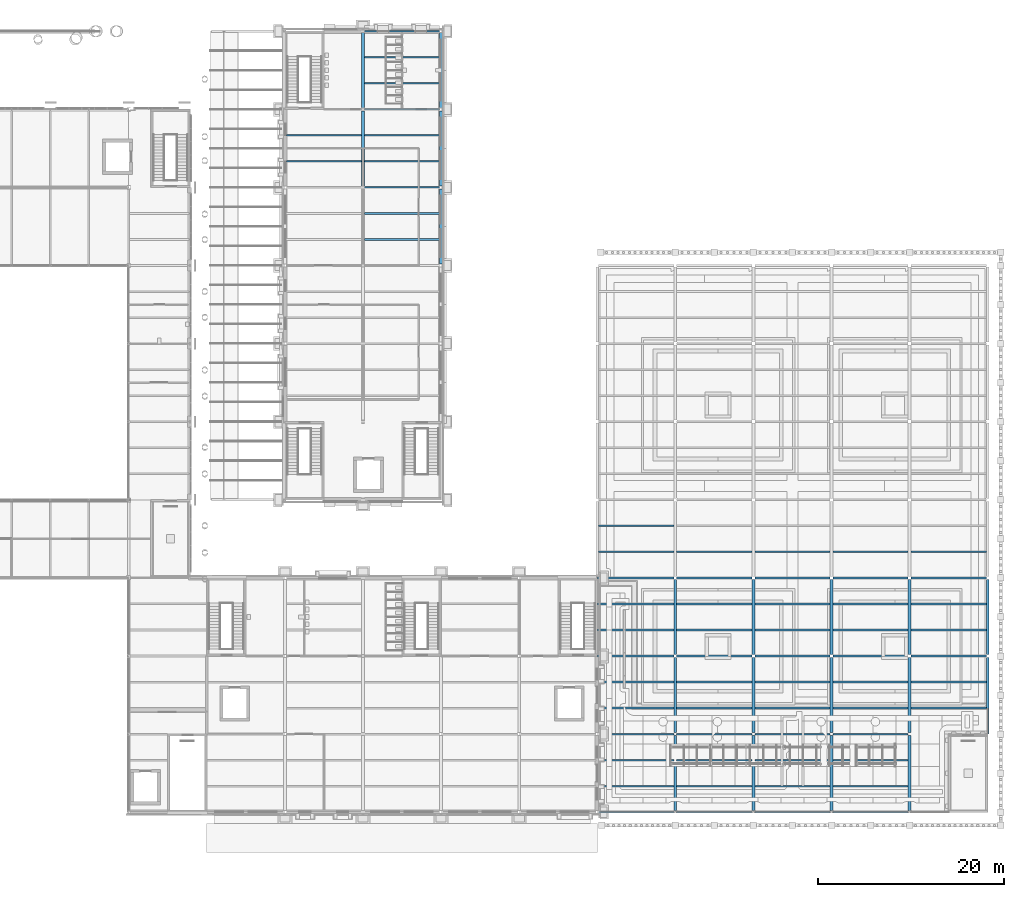
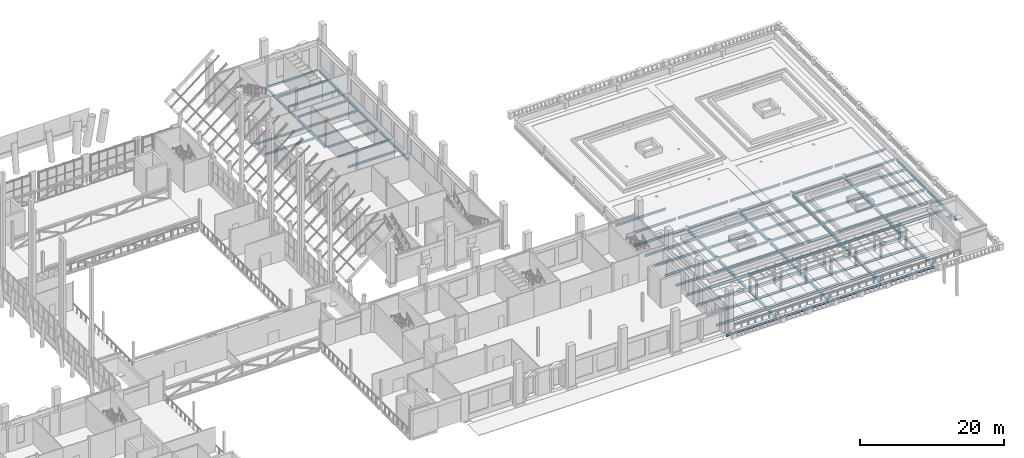
# One storey, part 39 of 76: 82 beams.
"""IFC4 building model written with IfcOpenShell, lengths in metres."""

from ifc_helpers import new_model, si_unit, direction, frame, origin, origin_2d, place, context, subcontext, project, spatial, i_section, extrude, material, material_profile, profile_set, type_object, element, save


model = new_model("IFC4")

# Units and contexts
model_context = context("Model", 3, precision=1e-05, world=origin(), true_north=direction((0.0, 1.0)))
body_context = subcontext(model_context, "Body", "Model", "MODEL_VIEW")
ifc_project = project(units=[si_unit("LENGTHUNIT", "METRE"), si_unit("AREAUNIT", "SQUARE_METRE"), si_unit("VOLUMEUNIT", "CUBIC_METRE"), si_unit("PLANEANGLEUNIT", "RADIAN"), si_unit("MASSUNIT", "GRAM", prefix="KILO")], contexts=[model_context])

# Site, building, storey
site_placement = place(None, origin())
site = spatial("IfcSite", under=ifc_project, at=site_placement, CompositionType="ELEMENT")
building_placement = place(site_placement, origin())
building = spatial("IfcBuilding", under=site, at=building_placement, Name="Sava Quay Ferry Terminal", CompositionType="ELEMENT")
storey_placement = place(building_placement, frame((0.0, 0.0, 6.0)))
storey = spatial("IfcBuildingStorey", under=building, at=storey_placement, Name="L01", CompositionType="ELEMENT", Elevation=6.0)

# Beams
ifc_material_1 = material(Name="Steel S355", Category="steel")
ifc_material_profile_1 = material_profile(ifc_material_1, i_section(OverallWidth=0.169921875, OverallDepth=0.360107421875, WebThickness=0.008056640625, FlangeThickness=0.0126953125, at=origin_2d()), Name="IPE 360")
ifc_profile_set_1 = profile_set([ifc_material_profile_1], Name="Steel S355")
beam_type_1 = type_object("IfcBeamType", Name="Beam IPE 360", PredefinedType="BEAM", material=ifc_profile_set_1)
for number, where, z_axis, x_axis, name in (
    (1, (100.949951171875, 92.39990234375, -0.31005859375), (1.0, 0.0, 0.0), (0.0, 1.0, 0.0), "Beam L01"),
    (2, (100.949951171875, 100.800048828125, -0.31005859375), (1.0, 0.0, 0.0), (0.0, 1.0, 0.0), "Beam L01"),
    (3, (100.949951171875, 109.199951171875, -0.31005859375), (1.0, 0.0, 0.0), (0.0, 1.0, 0.0), "Beam L01"),
    (4, (100.949951171875, 86.800048828125, -0.31005859375), (1.0, 0.0, 0.0), (0.0, 1.0, 0.0), "Secondary beam L01"),
    (5, (100.949951171875, 89.60009765625, -0.31005859375), (1.0, 0.0, 0.0), (0.0, 1.0, 0.0), "Secondary beam L01"),
):
    element("IfcBeam", number, at=place(storey_placement, frame(where, z_axis=z_axis, x_axis=x_axis)), inside=storey, type_object=beam_type_1, Name=name, PredefinedType="BEAM", context=body_context, shape_type="SweptSolid", body=[
        extrude(i_section(OverallWidth=0.169921875, OverallDepth=0.360107421875, WebThickness=0.008056640625, FlangeThickness=0.0126953125, at=origin_2d()), origin(), (0.0, 0.0, 1.0), 8.10009765625),
    ])
for number, where, z_axis, x_axis, name in (
    (6, (92.550048828125, 95.199951171875, -0.31005859375), (1.0, 0.0, 0.0), (0.0, 1.0, 0.0), "Secondary beam L01"),
    (7, (92.550048828125, 98.0, -0.31005859375), (1.0, 0.0, 0.0), (0.0, 1.0, 0.0), "Secondary beam L01"),
):
    element("IfcBeam", number, at=place(storey_placement, frame(where, z_axis=z_axis, x_axis=x_axis)), inside=storey, type_object=beam_type_1, Name=name, PredefinedType="BEAM", context=body_context, shape_type="SweptSolid", body=[
        extrude(i_section(OverallWidth=0.169921875, OverallDepth=0.360107421875, WebThickness=0.008056640625, FlangeThickness=0.0126953125, at=origin_2d()), origin(), (0.0, 0.0, 1.0), 8.099853515625),
    ])
for number, where, z_axis, x_axis, name in (
    (8, (100.949951171875, 95.199951171875, -0.31005859375), (1.0, 0.0, 0.0), (0.0, 1.0, 0.0), "Secondary beam L01"),
    (9, (100.949951171875, 98.0, -0.31005859375), (1.0, 0.0, 0.0), (0.0, 1.0, 0.0), "Secondary beam L01"),
    (10, (100.949951171875, 103.60009765625, -0.31005859375), (1.0, 0.0, 0.0), (0.0, 1.0, 0.0), "Secondary beam L01"),
    (11, (100.949951171875, 106.39990234375, -0.31005859375), (1.0, 0.0, 0.0), (0.0, 1.0, 0.0), "Secondary beam L01"),
):
    element("IfcBeam", number, at=place(storey_placement, frame(where, z_axis=z_axis, x_axis=x_axis)), inside=storey, type_object=beam_type_1, Name=name, PredefinedType="BEAM", context=body_context, shape_type="SweptSolid", body=[
        extrude(i_section(OverallWidth=0.169921875, OverallDepth=0.360107421875, WebThickness=0.008056640625, FlangeThickness=0.0126953125, at=origin_2d()), origin(), (0.0, 0.0, 1.0), 8.10009765625),
    ])
ifc_material_2 = material(Name="Steel S355", Category="steel")
ifc_material_profile_2 = material_profile(ifc_material_2, i_section(OverallWidth=0.179931640625, OverallDepth=0.39990234375, WebThickness=0.008544921875, FlangeThickness=0.013427734375, at=origin_2d()), Name="IPE 400")
ifc_profile_set_2 = profile_set([ifc_material_profile_2], Name="Steel S355")
beam_type_2 = type_object("IfcBeamType", Name="Beam IPE 400", PredefinedType="BEAM", material=ifc_profile_set_2)
beam_1_placement = place(storey_placement, frame((126.14990234375, 25.199951171875, -0.35009765625), z_axis=(1.0, 0.0, 0.0), x_axis=(0.0, 1.0, 0.0)))
element("IfcBeam", 12, at=beam_1_placement, inside=storey, type_object=beam_type_2, Name="Beam L01", PredefinedType="BEAM", context=body_context, shape_type="SweptSolid", body=[
    extrude(i_section(OverallWidth=0.179931640625, OverallDepth=0.39990234375, WebThickness=0.008544921875, FlangeThickness=0.013427734375, at=origin_2d()), origin(), (0.0, 0.0, 1.0), 8.10009765625),
])
beam_2_placement = place(storey_placement, frame((134.550048828125, 25.199951171875, -0.35009765625), z_axis=(1.0, 0.0, 0.0), x_axis=(0.0, 1.0, 0.0)))
element("IfcBeam", 13, at=beam_2_placement, inside=storey, type_object=beam_type_2, Name="Beam L01", PredefinedType="BEAM", context=body_context, shape_type="SweptSolid", body=[
    extrude(i_section(OverallWidth=0.179931640625, OverallDepth=0.39990234375, WebThickness=0.008544921875, FlangeThickness=0.013427734375, at=origin_2d()), origin(), (0.0, 0.0, 1.0), 8.099853515625),
])
beam_3_placement = place(storey_placement, frame((142.949951171875, 25.199951171875, -0.35009765625), z_axis=(1.0, 0.0, 0.0), x_axis=(0.0, 1.0, 0.0)))
element("IfcBeam", 14, at=beam_3_placement, inside=storey, type_object=beam_type_2, Name="Beam L01", PredefinedType="BEAM", context=body_context, shape_type="SweptSolid", body=[
    extrude(i_section(OverallWidth=0.179931640625, OverallDepth=0.39990234375, WebThickness=0.008544921875, FlangeThickness=0.013427734375, at=origin_2d()), origin(), (0.0, 0.0, 1.0), 8.10009765625),
])
beam_4_placement = place(storey_placement, frame((151.35009765625, 25.199951171875, -0.35009765625), z_axis=(1.0, 0.0, 0.0), x_axis=(0.0, 1.0, 0.0)))
element("IfcBeam", 15, at=beam_4_placement, inside=storey, type_object=beam_type_2, Name="Beam L01", PredefinedType="BEAM", context=body_context, shape_type="SweptSolid", body=[
    extrude(i_section(OverallWidth=0.179931640625, OverallDepth=0.39990234375, WebThickness=0.008544921875, FlangeThickness=0.013427734375, at=origin_2d()), origin(), (0.0, 0.0, 1.0), 8.099853515625),
])
beam_5_placement = place(storey_placement, frame((126.14990234375, 33.60009765625, -0.35009765625), z_axis=(1.0, 0.0, 0.0), x_axis=(0.0, 1.0, 0.0)))
element("IfcBeam", 16, at=beam_5_placement, inside=storey, type_object=beam_type_2, Name="Beam L01", PredefinedType="BEAM", context=body_context, shape_type="SweptSolid", body=[
    extrude(i_section(OverallWidth=0.179931640625, OverallDepth=0.39990234375, WebThickness=0.008544921875, FlangeThickness=0.013427734375, at=origin_2d()), origin(), (0.0, 0.0, 1.0), 8.10009765625),
])
beam_6_placement = place(storey_placement, frame((134.550048828125, 33.60009765625, -0.35009765625), z_axis=(1.0, 0.0, 0.0), x_axis=(0.0, 1.0, 0.0)))
element("IfcBeam", 17, at=beam_6_placement, inside=storey, type_object=beam_type_2, Name="Beam L01", PredefinedType="BEAM", context=body_context, shape_type="SweptSolid", body=[
    extrude(i_section(OverallWidth=0.179931640625, OverallDepth=0.39990234375, WebThickness=0.008544921875, FlangeThickness=0.013427734375, at=origin_2d()), origin(), (0.0, 0.0, 1.0), 8.099853515625),
])
beam_7_placement = place(storey_placement, frame((142.949951171875, 33.60009765625, -0.35009765625), z_axis=(1.0, 0.0, 0.0), x_axis=(0.0, 1.0, 0.0)))
element("IfcBeam", 18, at=beam_7_placement, inside=storey, type_object=beam_type_2, Name="Beam L01", PredefinedType="BEAM", context=body_context, shape_type="SweptSolid", body=[
    extrude(i_section(OverallWidth=0.179931640625, OverallDepth=0.39990234375, WebThickness=0.008544921875, FlangeThickness=0.013427734375, at=origin_2d()), origin(), (0.0, 0.0, 1.0), 8.10009765625),
])
beam_8_placement = place(storey_placement, frame((151.35009765625, 33.60009765625, -0.35009765625), z_axis=(1.0, 0.0, 0.0), x_axis=(0.0, 1.0, 0.0)))
element("IfcBeam", 19, at=beam_8_placement, inside=storey, type_object=beam_type_2, Name="Beam L01", PredefinedType="BEAM", context=body_context, shape_type="SweptSolid", body=[
    extrude(i_section(OverallWidth=0.179931640625, OverallDepth=0.39990234375, WebThickness=0.008544921875, FlangeThickness=0.013427734375, at=origin_2d()), origin(), (0.0, 0.0, 1.0), 8.099853515625),
])
beam_9_placement = place(storey_placement, frame((126.0, 42.0, -0.35009765625), z_axis=(1.0, 0.0, 0.0), x_axis=(0.0, 1.0, 0.0)))
element("IfcBeam", 20, at=beam_9_placement, inside=storey, type_object=beam_type_2, Name="Beam L01", PredefinedType="BEAM", context=body_context, shape_type="SweptSolid", body=[
    extrude(i_section(OverallWidth=0.179931640625, OverallDepth=0.39990234375, WebThickness=0.008544921875, FlangeThickness=0.013427734375, at=origin_2d()), origin(), (0.0, 0.0, 1.0), 8.25),
])
beam_10_placement = place(storey_placement, frame((134.550048828125, 42.0, -0.35009765625), z_axis=(1.0, 0.0, 0.0), x_axis=(0.0, 1.0, 0.0)))
element("IfcBeam", 21, at=beam_10_placement, inside=storey, type_object=beam_type_2, Name="Beam L01", PredefinedType="BEAM", context=body_context, shape_type="SweptSolid", body=[
    extrude(i_section(OverallWidth=0.179931640625, OverallDepth=0.39990234375, WebThickness=0.008544921875, FlangeThickness=0.013427734375, at=origin_2d()), origin(), (0.0, 0.0, 1.0), 8.099853515625),
])
beam_11_placement = place(storey_placement, frame((142.949951171875, 42.0, -0.35009765625), z_axis=(1.0, 0.0, 0.0), x_axis=(0.0, 1.0, 0.0)))
element("IfcBeam", 22, at=beam_11_placement, inside=storey, type_object=beam_type_2, Name="Beam L01", PredefinedType="BEAM", context=body_context, shape_type="SweptSolid", body=[
    extrude(i_section(OverallWidth=0.179931640625, OverallDepth=0.39990234375, WebThickness=0.008544921875, FlangeThickness=0.013427734375, at=origin_2d()), origin(), (0.0, 0.0, 1.0), 8.10009765625),
])
beam_12_placement = place(storey_placement, frame((151.35009765625, 42.0, -0.35009765625), z_axis=(1.0, 0.0, 0.0), x_axis=(0.0, 1.0, 0.0)))
element("IfcBeam", 23, at=beam_12_placement, inside=storey, type_object=beam_type_2, Name="Beam L01", PredefinedType="BEAM", context=body_context, shape_type="SweptSolid", body=[
    extrude(i_section(OverallWidth=0.179931640625, OverallDepth=0.39990234375, WebThickness=0.008544921875, FlangeThickness=0.013427734375, at=origin_2d()), origin(), (0.0, 0.0, 1.0), 8.099853515625),
])
beam_13_placement = place(storey_placement, frame((159.75, 42.0, -0.35009765625), z_axis=(1.0, 0.0, 0.0), x_axis=(0.0, 1.0, 0.0)))
element("IfcBeam", 24, at=beam_13_placement, inside=storey, type_object=beam_type_2, Name="Beam L01", PredefinedType="BEAM", context=body_context, shape_type="SweptSolid", body=[
    extrude(i_section(OverallWidth=0.179931640625, OverallDepth=0.39990234375, WebThickness=0.008544921875, FlangeThickness=0.013427734375, at=origin_2d()), origin(), (0.0, 0.0, 1.0), 8.10009765625),
])
beam_14_placement = place(storey_placement, frame((126.0, 50.39990234375, -0.35009765625), z_axis=(1.0, 0.0, 0.0), x_axis=(0.0, 1.0, 0.0)))
element("IfcBeam", 25, at=beam_14_placement, inside=storey, type_object=beam_type_2, Name="Beam L01", PredefinedType="BEAM", context=body_context, shape_type="SweptSolid", body=[
    extrude(i_section(OverallWidth=0.179931640625, OverallDepth=0.39990234375, WebThickness=0.008544921875, FlangeThickness=0.013427734375, at=origin_2d()), origin(), (0.0, 0.0, 1.0), 8.25),
])
beam_15_placement = place(storey_placement, frame((134.550048828125, 50.39990234375, -0.35009765625), z_axis=(1.0, 0.0, 0.0), x_axis=(0.0, 1.0, 0.0)))
element("IfcBeam", 26, at=beam_15_placement, inside=storey, type_object=beam_type_2, Name="Beam L01", PredefinedType="BEAM", context=body_context, shape_type="SweptSolid", body=[
    extrude(i_section(OverallWidth=0.179931640625, OverallDepth=0.39990234375, WebThickness=0.008544921875, FlangeThickness=0.013427734375, at=origin_2d()), origin(), (0.0, 0.0, 1.0), 8.099853515625),
])
beam_16_placement = place(storey_placement, frame((142.949951171875, 50.39990234375, -0.35009765625), z_axis=(1.0, 0.0, 0.0), x_axis=(0.0, 1.0, 0.0)))
element("IfcBeam", 27, at=beam_16_placement, inside=storey, type_object=beam_type_2, Name="Beam L01", PredefinedType="BEAM", context=body_context, shape_type="SweptSolid", body=[
    extrude(i_section(OverallWidth=0.179931640625, OverallDepth=0.39990234375, WebThickness=0.008544921875, FlangeThickness=0.013427734375, at=origin_2d()), origin(), (0.0, 0.0, 1.0), 8.10009765625),
])
beam_17_placement = place(storey_placement, frame((151.35009765625, 50.39990234375, -0.35009765625), z_axis=(1.0, 0.0, 0.0), x_axis=(0.0, 1.0, 0.0)))
element("IfcBeam", 28, at=beam_17_placement, inside=storey, type_object=beam_type_2, Name="Beam L01", PredefinedType="BEAM", context=body_context, shape_type="SweptSolid", body=[
    extrude(i_section(OverallWidth=0.179931640625, OverallDepth=0.39990234375, WebThickness=0.008544921875, FlangeThickness=0.013427734375, at=origin_2d()), origin(), (0.0, 0.0, 1.0), 8.099853515625),
])
for number, where, z_axis, x_axis, name in (
    (29, (159.75, 50.39990234375, -0.35009765625), (1.0, 0.0, 0.0), (0.0, 1.0, 0.0), "Beam L01"),
    (30, (126.14990234375, 28.0, -0.35009765625), (1.0, 0.0, 0.0), (0.0, 1.0, 0.0), "Secondary beam L01"),
    (31, (126.14990234375, 30.800048828125, -0.35009765625), (1.0, 0.0, 0.0), (0.0, 1.0, 0.0), "Secondary beam L01"),
):
    element("IfcBeam", number, at=place(storey_placement, frame(where, z_axis=z_axis, x_axis=x_axis)), inside=storey, type_object=beam_type_2, Name=name, PredefinedType="BEAM", context=body_context, shape_type="SweptSolid", body=[
        extrude(i_section(OverallWidth=0.179931640625, OverallDepth=0.39990234375, WebThickness=0.008544921875, FlangeThickness=0.013427734375, at=origin_2d()), origin(), (0.0, 0.0, 1.0), 8.10009765625),
    ])
for number, where, z_axis, x_axis, name in (
    (32, (134.550048828125, 28.0, -0.35009765625), (1.0, 0.0, 0.0), (0.0, 1.0, 0.0), "Secondary beam L01"),
    (33, (134.550048828125, 30.800048828125, -0.35009765625), (1.0, 0.0, 0.0), (0.0, 1.0, 0.0), "Secondary beam L01"),
):
    element("IfcBeam", number, at=place(storey_placement, frame(where, z_axis=z_axis, x_axis=x_axis)), inside=storey, type_object=beam_type_2, Name=name, PredefinedType="BEAM", context=body_context, shape_type="SweptSolid", body=[
        extrude(i_section(OverallWidth=0.179931640625, OverallDepth=0.39990234375, WebThickness=0.008544921875, FlangeThickness=0.013427734375, at=origin_2d()), origin(), (0.0, 0.0, 1.0), 8.099853515625),
    ])
for number, where, z_axis, x_axis, name in (
    (34, (142.949951171875, 28.0, -0.35009765625), (1.0, 0.0, 0.0), (0.0, 1.0, 0.0), "Secondary beam L01"),
    (35, (142.949951171875, 30.800048828125, -0.35009765625), (1.0, 0.0, 0.0), (0.0, 1.0, 0.0), "Secondary beam L01"),
):
    element("IfcBeam", number, at=place(storey_placement, frame(where, z_axis=z_axis, x_axis=x_axis)), inside=storey, type_object=beam_type_2, Name=name, PredefinedType="BEAM", context=body_context, shape_type="SweptSolid", body=[
        extrude(i_section(OverallWidth=0.179931640625, OverallDepth=0.39990234375, WebThickness=0.008544921875, FlangeThickness=0.013427734375, at=origin_2d()), origin(), (0.0, 0.0, 1.0), 8.10009765625),
    ])
for number, where, z_axis, x_axis, name in (
    (36, (151.35009765625, 28.0, -0.35009765625), (1.0, 0.0, 0.0), (0.0, 1.0, 0.0), "Secondary beam L01"),
    (37, (151.35009765625, 30.800048828125, -0.35009765625), (1.0, 0.0, 0.0), (0.0, 1.0, 0.0), "Secondary beam L01"),
):
    element("IfcBeam", number, at=place(storey_placement, frame(where, z_axis=z_axis, x_axis=x_axis)), inside=storey, type_object=beam_type_2, Name=name, PredefinedType="BEAM", context=body_context, shape_type="SweptSolid", body=[
        extrude(i_section(OverallWidth=0.179931640625, OverallDepth=0.39990234375, WebThickness=0.008544921875, FlangeThickness=0.013427734375, at=origin_2d()), origin(), (0.0, 0.0, 1.0), 8.099853515625),
    ])
for number, where, z_axis, x_axis, name in (
    (38, (126.14990234375, 36.39990234375, -0.35009765625), (1.0, 0.0, 0.0), (0.0, 1.0, 0.0), "Secondary beam L01"),
    (39, (126.14990234375, 39.199951171875, -0.35009765625), (1.0, 0.0, 0.0), (0.0, 1.0, 0.0), "Secondary beam L01"),
):
    element("IfcBeam", number, at=place(storey_placement, frame(where, z_axis=z_axis, x_axis=x_axis)), inside=storey, type_object=beam_type_2, Name=name, PredefinedType="BEAM", context=body_context, shape_type="SweptSolid", body=[
        extrude(i_section(OverallWidth=0.179931640625, OverallDepth=0.39990234375, WebThickness=0.008544921875, FlangeThickness=0.013427734375, at=origin_2d()), origin(), (0.0, 0.0, 1.0), 8.10009765625),
    ])
for number, where, z_axis, x_axis, name in (
    (40, (134.550048828125, 36.39990234375, -0.35009765625), (1.0, 0.0, 0.0), (0.0, 1.0, 0.0), "Secondary beam L01"),
    (41, (134.550048828125, 39.199951171875, -0.35009765625), (1.0, 0.0, 0.0), (0.0, 1.0, 0.0), "Secondary beam L01"),
):
    element("IfcBeam", number, at=place(storey_placement, frame(where, z_axis=z_axis, x_axis=x_axis)), inside=storey, type_object=beam_type_2, Name=name, PredefinedType="BEAM", context=body_context, shape_type="SweptSolid", body=[
        extrude(i_section(OverallWidth=0.179931640625, OverallDepth=0.39990234375, WebThickness=0.008544921875, FlangeThickness=0.013427734375, at=origin_2d()), origin(), (0.0, 0.0, 1.0), 8.099853515625),
    ])
for number, where, z_axis, x_axis, name in (
    (42, (142.949951171875, 36.39990234375, -0.35009765625), (1.0, 0.0, 0.0), (0.0, 1.0, 0.0), "Secondary beam L01"),
    (43, (142.949951171875, 39.199951171875, -0.35009765625), (1.0, 0.0, 0.0), (0.0, 1.0, 0.0), "Secondary beam L01"),
):
    element("IfcBeam", number, at=place(storey_placement, frame(where, z_axis=z_axis, x_axis=x_axis)), inside=storey, type_object=beam_type_2, Name=name, PredefinedType="BEAM", context=body_context, shape_type="SweptSolid", body=[
        extrude(i_section(OverallWidth=0.179931640625, OverallDepth=0.39990234375, WebThickness=0.008544921875, FlangeThickness=0.013427734375, at=origin_2d()), origin(), (0.0, 0.0, 1.0), 8.10009765625),
    ])
for number, where, z_axis, x_axis, name in (
    (44, (151.35009765625, 36.39990234375, -0.35009765625), (1.0, 0.0, 0.0), (0.0, 1.0, 0.0), "Secondary beam L01"),
    (45, (151.35009765625, 39.199951171875, -0.35009765625), (1.0, 0.0, 0.0), (0.0, 1.0, 0.0), "Secondary beam L01"),
):
    element("IfcBeam", number, at=place(storey_placement, frame(where, z_axis=z_axis, x_axis=x_axis)), inside=storey, type_object=beam_type_2, Name=name, PredefinedType="BEAM", context=body_context, shape_type="SweptSolid", body=[
        extrude(i_section(OverallWidth=0.179931640625, OverallDepth=0.39990234375, WebThickness=0.008544921875, FlangeThickness=0.013427734375, at=origin_2d()), origin(), (0.0, 0.0, 1.0), 8.099853515625),
    ])
for number, where, z_axis, x_axis, name in (
    (46, (159.75, 36.39990234375, -0.35009765625), (1.0, 0.0, 0.0), (0.0, 1.0, 0.0), "Secondary beam L01"),
    (47, (159.75, 39.199951171875, -0.35009765625), (1.0, 0.0, 0.0), (0.0, 1.0, 0.0), "Secondary beam L01"),
):
    element("IfcBeam", number, at=place(storey_placement, frame(where, z_axis=z_axis, x_axis=x_axis)), inside=storey, type_object=beam_type_2, Name=name, PredefinedType="BEAM", context=body_context, shape_type="SweptSolid", body=[
        extrude(i_section(OverallWidth=0.179931640625, OverallDepth=0.39990234375, WebThickness=0.008544921875, FlangeThickness=0.013427734375, at=origin_2d()), origin(), (0.0, 0.0, 1.0), 8.10009765625),
    ])
for number, where, z_axis, x_axis, name in (
    (48, (126.0, 44.800048828125, -0.35009765625), (1.0, 0.0, 0.0), (0.0, 1.0, 0.0), "Secondary beam L01"),
    (49, (126.0, 47.60009765625, -0.35009765625), (1.0, 0.0, 0.0), (0.0, 1.0, 0.0), "Secondary beam L01"),
):
    element("IfcBeam", number, at=place(storey_placement, frame(where, z_axis=z_axis, x_axis=x_axis)), inside=storey, type_object=beam_type_2, Name=name, PredefinedType="BEAM", context=body_context, shape_type="SweptSolid", body=[
        extrude(i_section(OverallWidth=0.179931640625, OverallDepth=0.39990234375, WebThickness=0.008544921875, FlangeThickness=0.013427734375, at=origin_2d()), origin(), (0.0, 0.0, 1.0), 8.25),
    ])
for number, where, z_axis, x_axis, name in (
    (50, (134.550048828125, 44.800048828125, -0.35009765625), (1.0, 0.0, 0.0), (0.0, 1.0, 0.0), "Secondary beam L01"),
    (51, (134.550048828125, 47.60009765625, -0.35009765625), (1.0, 0.0, 0.0), (0.0, 1.0, 0.0), "Secondary beam L01"),
):
    element("IfcBeam", number, at=place(storey_placement, frame(where, z_axis=z_axis, x_axis=x_axis)), inside=storey, type_object=beam_type_2, Name=name, PredefinedType="BEAM", context=body_context, shape_type="SweptSolid", body=[
        extrude(i_section(OverallWidth=0.179931640625, OverallDepth=0.39990234375, WebThickness=0.008544921875, FlangeThickness=0.013427734375, at=origin_2d()), origin(), (0.0, 0.0, 1.0), 8.099853515625),
    ])
for number, where, z_axis, x_axis, name in (
    (52, (142.949951171875, 44.800048828125, -0.35009765625), (1.0, 0.0, 0.0), (0.0, 1.0, 0.0), "Secondary beam L01"),
    (53, (142.949951171875, 47.60009765625, -0.35009765625), (1.0, 0.0, 0.0), (0.0, 1.0, 0.0), "Secondary beam L01"),
):
    element("IfcBeam", number, at=place(storey_placement, frame(where, z_axis=z_axis, x_axis=x_axis)), inside=storey, type_object=beam_type_2, Name=name, PredefinedType="BEAM", context=body_context, shape_type="SweptSolid", body=[
        extrude(i_section(OverallWidth=0.179931640625, OverallDepth=0.39990234375, WebThickness=0.008544921875, FlangeThickness=0.013427734375, at=origin_2d()), origin(), (0.0, 0.0, 1.0), 8.10009765625),
    ])
for number, where, z_axis, x_axis, name in (
    (54, (151.35009765625, 44.800048828125, -0.35009765625), (1.0, 0.0, 0.0), (0.0, 1.0, 0.0), "Secondary beam L01"),
    (55, (151.35009765625, 47.60009765625, -0.35009765625), (1.0, 0.0, 0.0), (0.0, 1.0, 0.0), "Secondary beam L01"),
):
    element("IfcBeam", number, at=place(storey_placement, frame(where, z_axis=z_axis, x_axis=x_axis)), inside=storey, type_object=beam_type_2, Name=name, PredefinedType="BEAM", context=body_context, shape_type="SweptSolid", body=[
        extrude(i_section(OverallWidth=0.179931640625, OverallDepth=0.39990234375, WebThickness=0.008544921875, FlangeThickness=0.013427734375, at=origin_2d()), origin(), (0.0, 0.0, 1.0), 8.099853515625),
    ])
for number, where, z_axis, x_axis, name in (
    (56, (159.75, 44.800048828125, -0.35009765625), (1.0, 0.0, 0.0), (0.0, 1.0, 0.0), "Secondary beam L01"),
    (57, (159.75, 47.60009765625, -0.35009765625), (1.0, 0.0, 0.0), (0.0, 1.0, 0.0), "Secondary beam L01"),
    (58, (126.14990234375, 53.199951171875, -0.35009765625), (1.0, 0.0, 0.0), (0.0, 1.0, 0.0), "Secondary beam L01"),
    (59, (126.14990234375, 56.0, -0.35009765625), (1.0, 0.0, 0.0), (0.0, 1.0, 0.0), "Secondary beam L01"),
):
    element("IfcBeam", number, at=place(storey_placement, frame(where, z_axis=z_axis, x_axis=x_axis)), inside=storey, type_object=beam_type_2, Name=name, PredefinedType="BEAM", context=body_context, shape_type="SweptSolid", body=[
        extrude(i_section(OverallWidth=0.179931640625, OverallDepth=0.39990234375, WebThickness=0.008544921875, FlangeThickness=0.013427734375, at=origin_2d()), origin(), (0.0, 0.0, 1.0), 8.10009765625),
    ])
beam_18_placement = place(storey_placement, frame((134.550048828125, 53.199951171875, -0.35009765625), z_axis=(1.0, 0.0, 0.0), x_axis=(0.0, 1.0, 0.0)))
element("IfcBeam", 60, at=beam_18_placement, inside=storey, type_object=beam_type_2, Name="Secondary beam L01", PredefinedType="BEAM", context=body_context, shape_type="SweptSolid", body=[
    extrude(i_section(OverallWidth=0.179931640625, OverallDepth=0.39990234375, WebThickness=0.008544921875, FlangeThickness=0.013427734375, at=origin_2d()), origin(), (0.0, 0.0, 1.0), 8.099853515625),
])
beam_19_placement = place(storey_placement, frame((142.949951171875, 53.199951171875, -0.35009765625), z_axis=(1.0, 0.0, 0.0), x_axis=(0.0, 1.0, 0.0)))
element("IfcBeam", 61, at=beam_19_placement, inside=storey, type_object=beam_type_2, Name="Secondary beam L01", PredefinedType="BEAM", context=body_context, shape_type="SweptSolid", body=[
    extrude(i_section(OverallWidth=0.179931640625, OverallDepth=0.39990234375, WebThickness=0.008544921875, FlangeThickness=0.013427734375, at=origin_2d()), origin(), (0.0, 0.0, 1.0), 8.10009765625),
])
beam_20_placement = place(storey_placement, frame((151.35009765625, 53.199951171875, -0.35009765625), z_axis=(1.0, 0.0, 0.0), x_axis=(0.0, 1.0, 0.0)))
element("IfcBeam", 62, at=beam_20_placement, inside=storey, type_object=beam_type_2, Name="Secondary beam L01", PredefinedType="BEAM", context=body_context, shape_type="SweptSolid", body=[
    extrude(i_section(OverallWidth=0.179931640625, OverallDepth=0.39990234375, WebThickness=0.008544921875, FlangeThickness=0.013427734375, at=origin_2d()), origin(), (0.0, 0.0, 1.0), 8.099853515625),
])
beam_21_placement = place(storey_placement, frame((159.75, 53.199951171875, -0.35009765625), z_axis=(1.0, 0.0, 0.0), x_axis=(0.0, 1.0, 0.0)))
element("IfcBeam", 63, at=beam_21_placement, inside=storey, type_object=beam_type_2, Name="Secondary beam L01", PredefinedType="BEAM", context=body_context, shape_type="SweptSolid", body=[
    extrude(i_section(OverallWidth=0.179931640625, OverallDepth=0.39990234375, WebThickness=0.008544921875, FlangeThickness=0.013427734375, at=origin_2d()), origin(), (0.0, 0.0, 1.0), 8.10009765625),
])
ifc_material_3 = material(Name="Steel S355", Category="steel")
ifc_material_profile_3 = material_profile(ifc_material_3, i_section(OverallWidth=0.300048828125, OverallDepth=0.389892578125, WebThickness=0.010986328125, FlangeThickness=0.01904296875, at=origin_2d()), Name="HE 400 A")
ifc_profile_set_3 = profile_set([ifc_material_profile_3], Name="Steel S355")
beam_type_3 = type_object("IfcBeamType", Name="Girder HE 400 A", PredefinedType="BEAM", material=ifc_profile_set_3)
beam_22_placement = place(storey_placement, frame((100.800048828125, 92.56005859375, -0.324951171875), z_axis=(0.0, 1.0, 0.0), x_axis=(-1.0, 0.0, 0.0)))
element("IfcBeam", 64, at=beam_22_placement, inside=storey, type_object=beam_type_3, Name="Girder L01", PredefinedType="BEAM", context=body_context, shape_type="SweptSolid", body=[
    extrude(i_section(OverallWidth=0.300048828125, OverallDepth=0.389892578125, WebThickness=0.010986328125, FlangeThickness=0.01904296875, at=origin_2d()), origin(), (0.0, 0.0, 1.0), 8.079833984375),
])
for number, where, z_axis, x_axis, name in (
    (65, (100.800048828125, 100.9599609375, -0.324951171875), (0.0, 1.0, 0.0), (-1.0, 0.0, 0.0), "Girder L01"),
    (66, (109.199951171875, 84.159912109375, -0.324951171875), (0.0, 1.0, 0.0), (-1.0, 0.0, 0.0), "Girder L01"),
):
    element("IfcBeam", number, at=place(storey_placement, frame(where, z_axis=z_axis, x_axis=x_axis)), inside=storey, type_object=beam_type_3, Name=name, PredefinedType="BEAM", context=body_context, shape_type="SweptSolid", body=[
        extrude(i_section(OverallWidth=0.300048828125, OverallDepth=0.389892578125, WebThickness=0.010986328125, FlangeThickness=0.01904296875, at=origin_2d()), origin(), (0.0, 0.0, 1.0), 8.080078125),
    ])
beam_23_placement = place(storey_placement, frame((109.199951171875, 92.56005859375, -0.324951171875), z_axis=(0.0, 1.0, 0.0), x_axis=(-1.0, 0.0, 0.0)))
element("IfcBeam", 67, at=beam_23_placement, inside=storey, type_object=beam_type_3, Name="Girder L01", PredefinedType="BEAM", context=body_context, shape_type="SweptSolid", body=[
    extrude(i_section(OverallWidth=0.300048828125, OverallDepth=0.389892578125, WebThickness=0.010986328125, FlangeThickness=0.01904296875, at=origin_2d()), origin(), (0.0, 0.0, 1.0), 8.079833984375),
])
beam_24_placement = place(storey_placement, frame((109.199951171875, 100.9599609375, -0.324951171875), z_axis=(0.0, 1.0, 0.0), x_axis=(-1.0, 0.0, 0.0)))
element("IfcBeam", 68, at=beam_24_placement, inside=storey, type_object=beam_type_3, Name="Girder L01", PredefinedType="BEAM", context=body_context, shape_type="SweptSolid", body=[
    extrude(i_section(OverallWidth=0.300048828125, OverallDepth=0.389892578125, WebThickness=0.010986328125, FlangeThickness=0.01904296875, at=origin_2d()), origin(), (0.0, 0.0, 1.0), 8.080078125),
])
ifc_material_4 = material(Name="Steel S355", Category="steel")
ifc_material_profile_4 = material_profile(ifc_material_4, i_section(OverallWidth=0.300048828125, OverallDepth=0.449951171875, WebThickness=0.013916015625, FlangeThickness=0.02587890625, at=origin_2d()), Name="HE 450 B")
ifc_profile_set_4 = profile_set([ifc_material_profile_4], Name="Steel S355")
beam_type_4 = type_object("IfcBeamType", Name="Girder HE 450 B", PredefinedType="BEAM", material=ifc_profile_set_4)
beam_25_placement = place(storey_placement, frame((134.39990234375, 25.360107421875, -0.375), z_axis=(0.0, 1.0, 0.0), x_axis=(-1.0, 0.0, 0.0)))
element("IfcBeam", 69, at=beam_25_placement, inside=storey, type_object=beam_type_4, Name="Girder L01", PredefinedType="BEAM", context=body_context, shape_type="SweptSolid", body=[
    extrude(i_section(OverallWidth=0.300048828125, OverallDepth=0.449951171875, WebThickness=0.013916015625, FlangeThickness=0.02587890625, at=origin_2d()), origin(), (0.0, 0.0, 1.0), 8.079833984375),
])
for number, where, z_axis, x_axis, name in (
    (70, (134.39990234375, 33.760009765625, -0.375), (0.0, 1.0, 0.0), (-1.0, 0.0, 0.0), "Girder L01"),
    (71, (134.39990234375, 42.159912109375, -0.375), (0.0, 1.0, 0.0), (-1.0, 0.0, 0.0), "Girder L01"),
):
    element("IfcBeam", number, at=place(storey_placement, frame(where, z_axis=z_axis, x_axis=x_axis)), inside=storey, type_object=beam_type_4, Name=name, PredefinedType="BEAM", context=body_context, shape_type="SweptSolid", body=[
        extrude(i_section(OverallWidth=0.300048828125, OverallDepth=0.449951171875, WebThickness=0.013916015625, FlangeThickness=0.02587890625, at=origin_2d()), origin(), (0.0, 0.0, 1.0), 8.080078125),
    ])
beam_26_placement = place(storey_placement, frame((142.800048828125, 25.360107421875, -0.375), z_axis=(0.0, 1.0, 0.0), x_axis=(-1.0, 0.0, 0.0)))
element("IfcBeam", 72, at=beam_26_placement, inside=storey, type_object=beam_type_4, Name="Girder L01", PredefinedType="BEAM", context=body_context, shape_type="SweptSolid", body=[
    extrude(i_section(OverallWidth=0.300048828125, OverallDepth=0.449951171875, WebThickness=0.013916015625, FlangeThickness=0.02587890625, at=origin_2d()), origin(), (0.0, 0.0, 1.0), 8.079833984375),
])
for number, where, z_axis, x_axis, name in (
    (73, (142.800048828125, 33.760009765625, -0.375), (0.0, 1.0, 0.0), (-1.0, 0.0, 0.0), "Girder L01"),
    (74, (142.800048828125, 42.159912109375, -0.375), (0.0, 1.0, 0.0), (-1.0, 0.0, 0.0), "Girder L01"),
):
    element("IfcBeam", number, at=place(storey_placement, frame(where, z_axis=z_axis, x_axis=x_axis)), inside=storey, type_object=beam_type_4, Name=name, PredefinedType="BEAM", context=body_context, shape_type="SweptSolid", body=[
        extrude(i_section(OverallWidth=0.300048828125, OverallDepth=0.449951171875, WebThickness=0.013916015625, FlangeThickness=0.02587890625, at=origin_2d()), origin(), (0.0, 0.0, 1.0), 8.080078125),
    ])
beam_27_placement = place(storey_placement, frame((151.199951171875, 25.360107421875, -0.375), z_axis=(0.0, 1.0, 0.0), x_axis=(-1.0, 0.0, 0.0)))
element("IfcBeam", 75, at=beam_27_placement, inside=storey, type_object=beam_type_4, Name="Girder L01", PredefinedType="BEAM", context=body_context, shape_type="SweptSolid", body=[
    extrude(i_section(OverallWidth=0.300048828125, OverallDepth=0.449951171875, WebThickness=0.013916015625, FlangeThickness=0.02587890625, at=origin_2d()), origin(), (0.0, 0.0, 1.0), 8.079833984375),
])
for number, where, z_axis, x_axis, name in (
    (76, (151.199951171875, 33.760009765625, -0.375), (0.0, 1.0, 0.0), (-1.0, 0.0, 0.0), "Girder L01"),
    (77, (151.199951171875, 42.159912109375, -0.375), (0.0, 1.0, 0.0), (-1.0, 0.0, 0.0), "Girder L01"),
):
    element("IfcBeam", number, at=place(storey_placement, frame(where, z_axis=z_axis, x_axis=x_axis)), inside=storey, type_object=beam_type_4, Name=name, PredefinedType="BEAM", context=body_context, shape_type="SweptSolid", body=[
        extrude(i_section(OverallWidth=0.300048828125, OverallDepth=0.449951171875, WebThickness=0.013916015625, FlangeThickness=0.02587890625, at=origin_2d()), origin(), (0.0, 0.0, 1.0), 8.080078125),
    ])
beam_28_placement = place(storey_placement, frame((159.60009765625, 25.360107421875, -0.375), z_axis=(0.0, 1.0, 0.0), x_axis=(-1.0, 0.0, 0.0)))
element("IfcBeam", 78, at=beam_28_placement, inside=storey, type_object=beam_type_4, Name="Girder L01", PredefinedType="BEAM", context=body_context, shape_type="SweptSolid", body=[
    extrude(i_section(OverallWidth=0.300048828125, OverallDepth=0.449951171875, WebThickness=0.013916015625, FlangeThickness=0.02587890625, at=origin_2d()), origin(), (0.0, 0.0, 1.0), 8.079833984375),
])
for number, where, z_axis, x_axis, name in (
    (79, (159.60009765625, 33.760009765625, -0.375), (0.0, 1.0, 0.0), (-1.0, 0.0, 0.0), "Girder L01"),
    (80, (159.60009765625, 42.159912109375, -0.375), (0.0, 1.0, 0.0), (-1.0, 0.0, 0.0), "Girder L01"),
):
    element("IfcBeam", number, at=place(storey_placement, frame(where, z_axis=z_axis, x_axis=x_axis)), inside=storey, type_object=beam_type_4, Name=name, PredefinedType="BEAM", context=body_context, shape_type="SweptSolid", body=[
        extrude(i_section(OverallWidth=0.300048828125, OverallDepth=0.449951171875, WebThickness=0.013916015625, FlangeThickness=0.02587890625, at=origin_2d()), origin(), (0.0, 0.0, 1.0), 8.080078125),
    ])
beam_29_placement = place(storey_placement, frame((168.0, 33.60009765625, -0.375), z_axis=(0.0, 1.0, 0.0), x_axis=(-1.0, 0.0, 0.0)))
element("IfcBeam", 81, at=beam_29_placement, inside=storey, type_object=beam_type_4, Name="Girder L01", PredefinedType="BEAM", context=body_context, shape_type="SweptSolid", body=[
    extrude(i_section(OverallWidth=0.300048828125, OverallDepth=0.449951171875, WebThickness=0.013916015625, FlangeThickness=0.02587890625, at=origin_2d()), origin(), (0.0, 0.0, 1.0), 8.239990234375),
])
beam_30_placement = place(storey_placement, frame((168.0, 42.159912109375, -0.375), z_axis=(0.0, 1.0, 0.0), x_axis=(-1.0, 0.0, 0.0)))
element("IfcBeam", 82, at=beam_30_placement, inside=storey, type_object=beam_type_4, Name="Girder L01", PredefinedType="BEAM", context=body_context, shape_type="SweptSolid", body=[
    extrude(i_section(OverallWidth=0.300048828125, OverallDepth=0.449951171875, WebThickness=0.013916015625, FlangeThickness=0.02587890625, at=origin_2d()), origin(), (0.0, 0.0, 1.0), 8.080078125),
])

save(model, "model.ifc")
